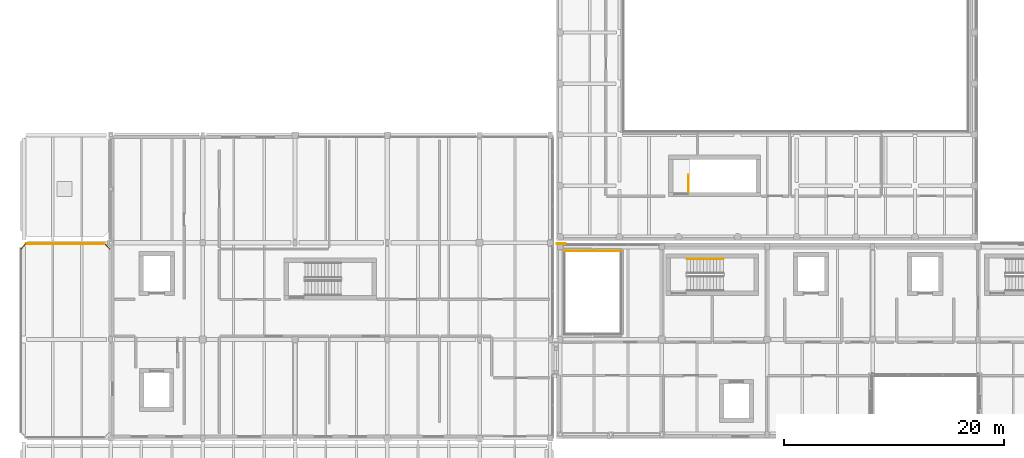
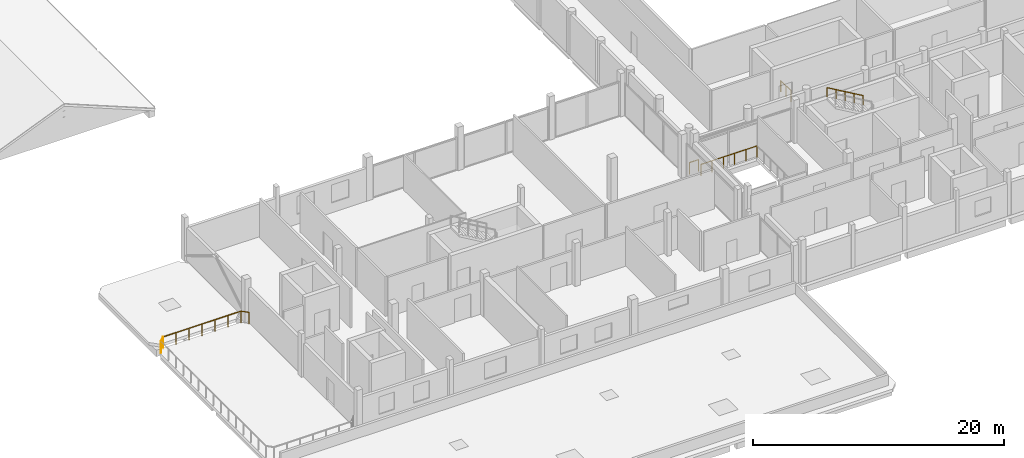
# One storey, part 55 of 66: 7 railings.
"""IFC4 building model written with IfcOpenShell, lengths in metres."""

from ifc_helpers import new_model, si_unit, direction, frame, origin, origin_2d, place, context, subcontext, project, spatial, circle, extrude, material, type_object, element, save


model = new_model("IFC4")

# Units and contexts
model_context = context("Model", 3, precision=1e-05, world=origin(), true_north=direction((0.0, 1.0)))
body_context = subcontext(model_context, "Body", "Model", "MODEL_VIEW")
ifc_project = project(units=[si_unit("LENGTHUNIT", "METRE"), si_unit("AREAUNIT", "SQUARE_METRE"), si_unit("VOLUMEUNIT", "CUBIC_METRE"), si_unit("PLANEANGLEUNIT", "RADIAN"), si_unit("MASSUNIT", "GRAM", prefix="KILO")], contexts=[model_context])

# Site, building, storey
site_placement = place(None, origin())
site = spatial("IfcSite", under=ifc_project, at=site_placement, CompositionType="ELEMENT")
building_placement = place(site_placement, origin())
building = spatial("IfcBuilding", under=site, at=building_placement, Name="Birchvale Park Specialist Clinic", CompositionType="ELEMENT")
storey_placement = place(building_placement, frame((0.0, 0.0, 5.39990234375)))
storey = spatial("IfcBuildingStorey", under=building, at=storey_placement, Name="L01", CompositionType="ELEMENT", Elevation=5.39990234375)

# Railings
ifc_material_1 = material(Name="Brushed stainless steel and laminated glass balustrade", Category="steel")
railing_type_1 = type_object("IfcRailingType", Name="RL-BAL1", PredefinedType="BALUSTRADE", material=ifc_material_1)
railing_1_placement = place(storey_placement, frame((57.679931640625, 33.8798828125, 0.0)))
element("IfcRailing", 1, at=railing_1_placement, inside=storey, type_object=railing_type_1, Name="V4 L01 atrium void balustrade 16", PredefinedType="BALUSTRADE", context=body_context, shape_type="SweptSolid", body=[
    extrude(circle(Radius=0.02392578125, at=origin_2d()), frame((0.0, 0.0, 1.09619140625), z_axis=(-1.0, 0.0, 0.0), x_axis=(0.0, -1.0, 0.0)), (0.0, 0.0, 1.0), 5.159912109375),
    extrude(circle(Radius=0.02099609375, at=origin_2d()), origin(), (0.0, 0.0, 1.0), 1.072021484375),
    extrude(circle(Radius=0.02099609375, at=origin_2d()), frame((-1.031982421875, 0.0, 0.0)), (0.0, 0.0, 1.0), 1.072021484375),
    extrude(circle(Radius=0.02099609375, at=origin_2d()), frame((-2.06396484375, 0.0, 0.0)), (0.0, 0.0, 1.0), 1.072021484375),
    extrude(circle(Radius=0.02099609375, at=origin_2d()), frame((-3.095947265625, 0.0, 0.0)), (0.0, 0.0, 1.0), 1.072021484375),
    extrude(circle(Radius=0.02099609375, at=origin_2d()), frame((-4.1279296875, 0.0, 0.0)), (0.0, 0.0, 1.0), 1.072021484375),
    extrude(circle(Radius=0.02099609375, at=origin_2d()), frame((-5.159912109375, 0.0, 0.0)), (0.0, 0.0, 1.0), 1.072021484375),
])
railing_type_2 = type_object("IfcRailingType", Name="RL-BAL2", PredefinedType="BALUSTRADE", material=ifc_material_1)
railing_2_placement = place(storey_placement, frame((11.1201171875, 34.050048828125, 0.0)))
element("IfcRailing", 2, at=railing_2_placement, inside=storey, type_object=railing_type_2, Name="V2 L01 roof terrace guard balustrade 19", PredefinedType="BALUSTRADE", context=body_context, shape_type="SweptSolid", body=[
    extrude(circle(Radius=0.02392578125, at=origin_2d()), frame((0.0, 0.0, 1.1259765625), z_axis=(-0.707290373747, 0.706923140946, 0.0), x_axis=(-0.706923140946, -0.707290373747, 0.0)), (0.0, 0.0, 1.0), 0.664794921875),
    extrude(circle(Radius=0.02099609375, at=origin_2d()), origin(), (0.0, 0.0, 1.0), 1.101806640625),
    extrude(circle(Radius=0.02099609375, at=origin_2d()), frame((-0.47021484375, 0.469970703125, 0.0)), (0.0, 0.0, 1.0), 1.101806640625),
])
railing_3_placement = place(storey_placement, frame((10.64990234375, 34.52001953125, 0.0)))
element("IfcRailing", 3, at=railing_3_placement, inside=storey, type_object=railing_type_2, Name="V2 L01 roof terrace guard balustrade 20", PredefinedType="BALUSTRADE", context=body_context, shape_type="SweptSolid", body=[
    extrude(circle(Radius=0.02392578125, at=origin_2d()), frame((0.0, 0.0, 1.1259765625), z_axis=(-1.0, 0.0, 0.0), x_axis=(0.0, -1.0, 0.0)), (0.0, 0.0, 1.0), 7.14990234375),
    extrude(circle(Radius=0.02099609375, at=origin_2d()), origin(), (0.0, 0.0, 1.0), 1.101806640625),
    extrude(circle(Radius=0.02099609375, at=origin_2d()), frame((-1.191650390625, 0.0, 0.0)), (0.0, 0.0, 1.0), 1.101806640625),
    extrude(circle(Radius=0.02099609375, at=origin_2d()), frame((-2.38330078125, 0.0, 0.0)), (0.0, 0.0, 1.0), 1.101806640625),
    extrude(circle(Radius=0.02099609375, at=origin_2d()), frame((-3.574951171875, 0.0, 0.0)), (0.0, 0.0, 1.0), 1.101806640625),
    extrude(circle(Radius=0.02099609375, at=origin_2d()), frame((-4.7666015625, 0.0, 0.0)), (0.0, 0.0, 1.0), 1.101806640625),
    extrude(circle(Radius=0.02099609375, at=origin_2d()), frame((-5.958251953125, 0.0, 0.0)), (0.0, 0.0, 1.0), 1.101806640625),
    extrude(circle(Radius=0.02099609375, at=origin_2d()), frame((-7.14990234375, 0.0, 0.0)), (0.0, 0.0, 1.0), 1.101806640625),
])
railing_4_placement = place(storey_placement, frame((3.5, 34.52001953125, 0.0)))
element("IfcRailing", 4, at=railing_4_placement, inside=storey, type_object=railing_type_2, Name="V2 L01 roof terrace guard balustrade 21", PredefinedType="BALUSTRADE", context=body_context, shape_type="SweptSolid", body=[
    extrude(circle(Radius=0.02392578125, at=origin_2d()), frame((0.0, 0.0, 1.1259765625), z_axis=(-0.707106781187, -0.707106781187, 0.0), x_axis=(0.707106781187, -0.707106781187, 0.0)), (0.0, 0.0, 1.0), 0.66455078125),
    extrude(circle(Radius=0.02099609375, at=origin_2d()), origin(), (0.0, 0.0, 1.0), 1.101806640625),
    extrude(circle(Radius=0.02099609375, at=origin_2d()), frame((-0.469970703125, -0.469970703125, 0.0)), (0.0, 0.0, 1.0), 1.101806640625),
])
railing_5_placement = place(storey_placement, frame((51.85009765625, 34.52001953125, 0.0)))
element("IfcRailing", 5, at=railing_5_placement, inside=storey, type_object=railing_type_2, Name="V4 L01 corner edge guard NW", PredefinedType="BALUSTRADE", context=body_context, shape_type="SweptSolid", body=[
    extrude(circle(Radius=0.02392578125, at=origin_2d()), frame((0.0, 0.0, 1.1259765625), z_axis=(1.0, 0.0, 0.0), x_axis=(0.0, 1.0, 0.0)), (0.0, 0.0, 1.0), 0.7998046875),
    extrude(circle(Radius=0.02099609375, at=origin_2d()), origin(), (0.0, 0.0, 1.0), 1.101806640625),
    extrude(circle(Radius=0.02099609375, at=origin_2d()), frame((0.7998046875, 0.0, 0.0)), (0.0, 0.0, 1.0), 1.101806640625),
])
ifc_material_2 = material(Name="Brushed stainless steel guard railing", Category="steel")
railing_type_3 = type_object("IfcRailingType", Name="RL-GRD1", PredefinedType="GUARDRAIL", material=ifc_material_2)
railing_6_placement = place(storey_placement, frame((63.85009765625, 39.199951171875, 0.0)))
element("IfcRailing", 6, at=railing_6_placement, inside=storey, type_object=railing_type_3, Name="L01 ST1 top well guard 1", PredefinedType="GUARDRAIL", context=body_context, shape_type="SweptSolid", body=[
    extrude(circle(Radius=0.02392578125, at=origin_2d()), frame((0.0, 0.0, 1.076171875), z_axis=(0.0, 1.0, 0.0), x_axis=(-1.0, 0.0, 0.0)), (0.0, 0.0, 1.0), 1.60009765625),
    extrude(circle(Radius=0.02099609375, at=origin_2d()), origin(), (0.0, 0.0, 1.0), 1.052001953125),
    extrude(circle(Radius=0.02099609375, at=origin_2d()), frame((0.0, 0.800048828125, 0.0)), (0.0, 0.0, 1.0), 1.052001953125),
    extrude(circle(Radius=0.02099609375, at=origin_2d()), frame((0.0, 1.60009765625, 0.0)), (0.0, 0.0, 1.0), 1.052001953125),
])
ifc_material_3 = material(Name="Anodised aluminium handrail", Category="aluminium")
railing_type_4 = type_object("IfcRailingType", Name="RL-HND1", PredefinedType="HANDRAIL", material=ifc_material_3)
railing_7_placement = place(storey_placement, frame((67.0, 33.14990234375, 2.275146484375)))
element("IfcRailing", 7, at=railing_7_placement, inside=storey, type_object=railing_type_4, Name="L01 ST4 stair handrail 2", PredefinedType="HANDRAIL", context=body_context, shape_type="SweptSolid", body=[
    extrude(circle(Radius=0.02392578125, at=origin_2d()), frame((0.0, 0.0, 0.8759765625), z_axis=(-0.863776583165, 0.0, 0.503874998761), x_axis=(0.0, -1.0, 0.0)), (0.0, 0.0, 1.0), 3.820556640625),
    extrude(circle(Radius=0.02099609375, at=origin_2d()), origin(), (0.0, 0.0, 1.0), 0.851806640625),
    extrude(circle(Radius=0.02099609375, at=origin_2d()), frame((-0.824951171875, 0.0, 0.481201171875)), (0.0, 0.0, 1.0), 0.851806640625),
    extrude(circle(Radius=0.02099609375, at=origin_2d()), frame((-1.64990234375, 0.0, 0.96240234375)), (0.0, 0.0, 1.0), 0.851806640625),
    extrude(circle(Radius=0.02099609375, at=origin_2d()), frame((-2.47509765625, 0.0, 1.44384765625)), (0.0, 0.0, 1.0), 0.851806640625),
    extrude(circle(Radius=0.02099609375, at=origin_2d()), frame((-3.300048828125, 0.0, 1.925048828125)), (0.0, 0.0, 1.0), 0.851806640625),
])

save(model, "model.ifc")
